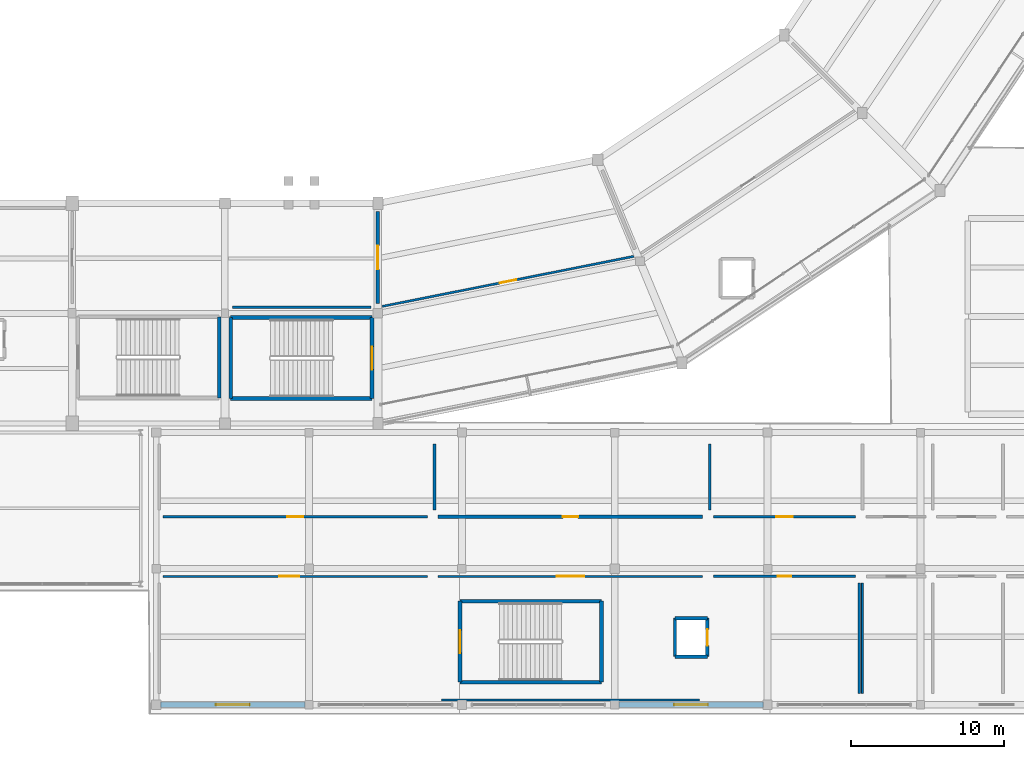
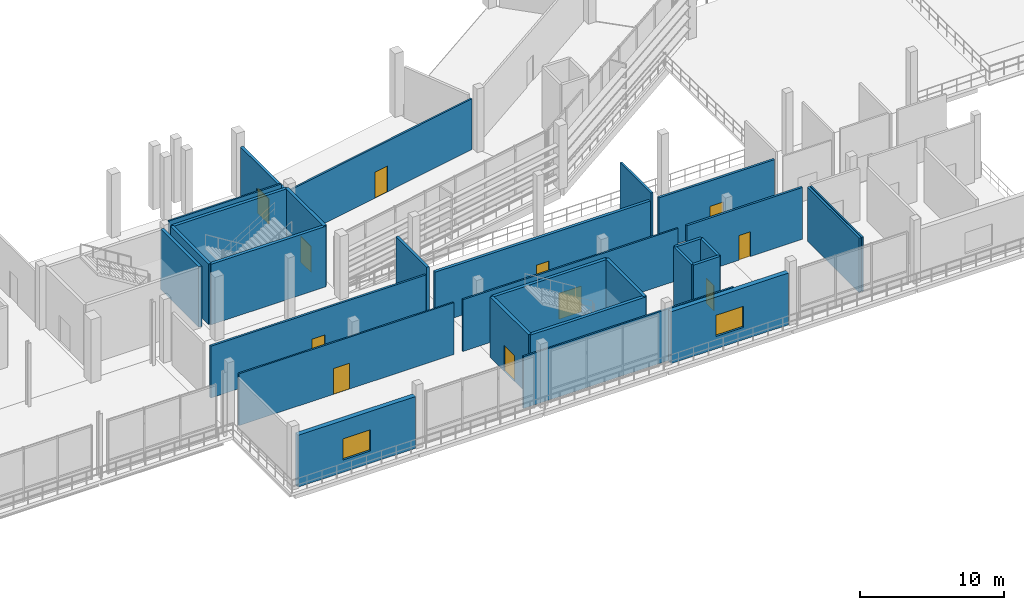
# One storey, part 75 of 111: 29 walls, 11 doors, 2 windows, 13 openings.
"""IFC4 building model written with IfcOpenShell, lengths in metres."""

from ifc_helpers import new_model, si_unit, direction, frame, frame_2d, origin, place, context, subcontext, project, spatial, rectangle, extrude, material, layer, layer_set, type_object, element, fill, save


model = new_model("IFC4")

# Units and contexts
model_context = context("Model", 3, precision=1e-05, world=origin(), true_north=direction((0.0, 1.0)))
body_context = subcontext(model_context, "Body", "Model", "MODEL_VIEW")
ifc_project = project(units=[si_unit("LENGTHUNIT", "METRE"), si_unit("AREAUNIT", "SQUARE_METRE"), si_unit("VOLUMEUNIT", "CUBIC_METRE"), si_unit("PLANEANGLEUNIT", "RADIAN"), si_unit("MASSUNIT", "GRAM", prefix="KILO")], contexts=[model_context])

# Site, building, storey
site_placement = place(None, origin())
site = spatial("IfcSite", under=ifc_project, at=site_placement, CompositionType="ELEMENT")
building_placement = place(site_placement, origin())
building = spatial("IfcBuilding", under=site, at=building_placement, Name="Candeia Ridge Stadium", CompositionType="ELEMENT")
storey_placement = place(building_placement, frame((0.0, 0.0, 16.199951171875)))
storey = spatial("IfcBuildingStorey", under=building, at=storey_placement, Name="L03", CompositionType="ELEMENT", Elevation=16.199951171875)

# Wall, opening, door
ifc_material_1 = material(Name="Gypsum Metal-Stud Partition", Category="gypsum")
ifc_layer_1 = layer(ifc_material_1, 0.14501953125, Name="Gypsum Metal-Stud Partition", Category="gypsum")
ifc_layer_set_1 = layer_set([ifc_layer_1], Name="Gypsum Metal-Stud Partition")
wall_type_1 = type_object("IfcWallType", Name="Athlete Recovery Partition 145", PredefinedType="PARTITIONING", material=ifc_layer_set_1)
wall_1_placement = place(storey_placement, frame((157.745849609375, 29.930908203125, 0.0), z_axis=(0.0, 0.0, 1.0), x_axis=(-0.980786027867, -0.195086564225, 0.0)))
wall_1 = element("IfcWall", 1, at=wall_1_placement, inside=storey, type_object=wall_type_1, Name="Interior partition PT-L03-0603", PredefinedType="PARTITIONING", context=body_context, shape_type="SweptSolid", body=[
    extrude(rectangle(XDim=16.783203125, YDim=0.14501953125, at=frame_2d((8.3916015625, 0.0))), origin(), (0.0, 0.0, 1.0), 4.304931640625),
])
opening_1_placement = place(wall_1_placement, frame((7.83154296875, 0.0, 0.0)))
opening_1 = element("IfcOpeningElement", 2, at=opening_1_placement, cuts=wall_1, Name="Opening ID18", PredefinedType="OPENING", context=body_context, shape_type="SweptSolid", body=[
    extrude(rectangle(XDim=1.1201171875, YDim=2.199951171875, at=frame_2d((0.56005859375, 1.10009765625))), frame((0.0, 0.08251953125, 0.0), z_axis=(0.0, -1.0, 0.0), x_axis=(1.0, 0.0, 0.0)), (0.0, 0.0, 1.0), 0.1650390625),
])
ifc_material_2 = material(Name="Galvanized Fire-Rated Steel", Category="steel")
door_type_1 = type_object("IfcDoorType", Name="Control Room Security Door 1120x2200", OperationType="NOTDEFINED", PredefinedType="DOOR", material=ifc_material_2)
door_1_placement = place(opening_1_placement, frame((1.1201171875, 0.0, 0.0), z_axis=(0.0, 0.0, 1.0), x_axis=(-1.0, 0.0, 0.0)))
door_1 = element("IfcDoor", 3, at=door_1_placement, inside=storey, type_object=door_type_1, Name="Interior room door D-L03-0310", OperationType="SINGLE_SWING_RIGHT", OverallHeight=2.199951171875, OverallWidth=1.1201171875, PredefinedType="DOOR", context=body_context, shape_type="SweptSolid", body=[
    extrude(rectangle(XDim=1.1201171875, YDim=2.199951171875, at=frame_2d((0.56005859375, 1.10009765625))), frame((0.0, 0.02490234375, 0.0), z_axis=(0.0, -1.0, 0.0), x_axis=(1.0, 0.0, 0.0)), (0.0, 0.0, 1.0), 0.050048828125),
])
fill(opening_1, door_1)

# Walls
ifc_material_3 = material(Name="Concrete C40/50", Category="concrete")
ifc_layer_2 = layer(ifc_material_3, 0.25, Name="Concrete C40/50", Category="concrete")
ifc_layer_set_2 = layer_set([ifc_layer_2], Name="Concrete C40/50")
wall_type_2 = type_object("IfcWallType", Name="Core Shear Wall Concrete 250", PredefinedType="SHEAR", material=ifc_layer_set_2)
wall_2_placement = place(storey_placement, frame((140.62451171875, 25.924560546875, 0.0), z_axis=(0.0, 0.0, 1.0), x_axis=(-1.0, 0.0, 0.0)))
element("IfcWall", 4, at=wall_2_placement, inside=storey, type_object=wall_type_2, Name="Core C03 left shear wall L03", PredefinedType="SHEAR", context=body_context, shape_type="SweptSolid", body=[
    extrude(rectangle(XDim=9.2490234375, YDim=0.25, at=frame_2d((4.62451171875, 0.0))), origin(), (0.0, 0.0, 1.0), 5.14013671875),
])
wall_3_placement = place(storey_placement, frame((131.37548828125, 25.924560546875, 0.0), z_axis=(0.0, 0.0, 1.0), x_axis=(0.0, -1.0, 0.0)))
element("IfcWall", 5, at=wall_3_placement, inside=storey, type_object=wall_type_2, Name="Core C03 far shear wall L03", PredefinedType="SHEAR", context=body_context, shape_type="SweptSolid", body=[
    extrude(rectangle(XDim=5.299072265625, YDim=0.25, at=frame_2d((2.6494140625, 0.0))), origin(), (0.0, 0.0, 1.0), 5.14013671875),
])
wall_4_placement = place(storey_placement, frame((131.37548828125, 20.62548828125, 0.0), z_axis=(0.0, 0.0, 1.0), x_axis=(1.0, 0.0, 0.0)))
element("IfcWall", 6, at=wall_4_placement, inside=storey, type_object=wall_type_2, Name="Core C03 right shear wall L03", PredefinedType="SHEAR", context=body_context, shape_type="SweptSolid", body=[
    extrude(rectangle(XDim=9.2490234375, YDim=0.25, at=frame_2d((4.62451171875, 0.0))), origin(), (0.0, 0.0, 1.0), 5.14013671875),
])

# Wall, opening, door
wall_5_placement = place(storey_placement, frame((140.62451171875, 20.62548828125, 0.0), z_axis=(0.0, 0.0, 1.0), x_axis=(0.0, 1.0, 0.0)))
wall_5 = element("IfcWall", 7, at=wall_5_placement, inside=storey, type_object=wall_type_2, Name="Core C03 near shear wall L03", PredefinedType="SHEAR", context=body_context, shape_type="SweptSolid", body=[
    extrude(rectangle(XDim=5.299072265625, YDim=0.25, at=frame_2d((2.6494140625, 0.0))), origin(), (0.0, 0.0, 1.0), 5.14013671875),
])
opening_2_placement = place(wall_5_placement, frame((1.899658203125, 0.0, 0.0)))
opening_2 = element("IfcOpeningElement", 8, at=opening_2_placement, cuts=wall_5, Name="Opening FD01", PredefinedType="OPENING", context=body_context, shape_type="SweptSolid", body=[
    extrude(rectangle(XDim=1.5, YDim=2.199951171875, at=frame_2d((0.75, 1.10009765625))), frame((0.0, 0.135009765625, 0.0), z_axis=(0.0, -1.0, 0.0), x_axis=(1.0, 0.0, 0.0)), (0.0, 0.0, 1.0), 0.27001953125),
])
door_type_2 = type_object("IfcDoorType", Name="Exit Stair Core Fire Door 1500x2200", OperationType="NOTDEFINED", PredefinedType="DOOR", material=ifc_material_2)
door_2_placement = place(opening_2_placement, origin())
door_2 = element("IfcDoor", 9, at=door_2_placement, inside=storey, type_object=door_type_2, Name="Exit stair fire door SD-ST03-L03", OperationType="DOUBLE_DOOR_SINGLE_SWING", OverallHeight=2.199951171875, OverallWidth=1.5, PredefinedType="DOOR", context=body_context, shape_type="SweptSolid", body=[
    extrude(rectangle(XDim=1.5, YDim=2.199951171875, at=frame_2d((0.75, 1.10009765625))), frame((0.0, 0.02490234375, 0.0), z_axis=(0.0, -1.0, 0.0), x_axis=(1.0, 0.0, 0.0)), (0.0, 0.0, 1.0), 0.050048828125),
])
fill(opening_2, door_2)

# Walls
wall_6_placement = place(storey_placement, frame((130.62451171875, 20.67529296875, 0.0), z_axis=(0.0, 0.0, 1.0), x_axis=(0.0, 1.0, 0.0)))
element("IfcWall", 10, at=wall_6_placement, inside=storey, type_object=wall_type_2, Name="Core C12 far shear wall L03", PredefinedType="SHEAR", context=body_context, shape_type="SweptSolid", body=[
    extrude(rectangle(XDim=5.29931640625, YDim=0.25, at=frame_2d((2.649658203125, 0.0))), origin(), (0.0, 0.0, 1.0), 5.14013671875),
])
wall_7_placement = place(storey_placement, frame((146.37548828125, 2.075439453125, 0.0), z_axis=(0.0, 0.0, 1.0), x_axis=(1.0, 0.0, 0.0)))
element("IfcWall", 11, at=wall_7_placement, inside=storey, type_object=wall_type_2, Name="Core C14 left shear wall L03", PredefinedType="SHEAR", context=body_context, shape_type="SweptSolid", body=[
    extrude(rectangle(XDim=9.2490234375, YDim=0.25, at=frame_2d((4.62451171875, 0.0))), origin(), (0.0, 0.0, 1.0), 5.14013671875),
])
wall_8_placement = place(storey_placement, frame((155.62451171875, 2.075439453125, 0.0), z_axis=(0.0, 0.0, 1.0), x_axis=(0.0, 1.0, 0.0)))
element("IfcWall", 12, at=wall_8_placement, inside=storey, type_object=wall_type_2, Name="Core C14 far shear wall L03", PredefinedType="SHEAR", context=body_context, shape_type="SweptSolid", body=[
    extrude(rectangle(XDim=5.299072265625, YDim=0.25, at=frame_2d((2.6494140625, 0.0))), origin(), (0.0, 0.0, 1.0), 5.14013671875),
])
wall_9_placement = place(storey_placement, frame((155.62451171875, 7.37451171875, 0.0), z_axis=(0.0, 0.0, 1.0), x_axis=(-1.0, 0.0, 0.0)))
element("IfcWall", 13, at=wall_9_placement, inside=storey, type_object=wall_type_2, Name="Core C14 right shear wall L03", PredefinedType="SHEAR", context=body_context, shape_type="SweptSolid", body=[
    extrude(rectangle(XDim=9.2490234375, YDim=0.25, at=frame_2d((4.62451171875, 0.0))), origin(), (0.0, 0.0, 1.0), 5.14013671875),
])

# Wall, opening, door
wall_10_placement = place(storey_placement, frame((146.37548828125, 7.37451171875, 0.0), z_axis=(0.0, 0.0, 1.0), x_axis=(0.0, -1.0, 0.0)))
wall_10 = element("IfcWall", 14, at=wall_10_placement, inside=storey, type_object=wall_type_2, Name="Core C14 near shear wall L03", PredefinedType="SHEAR", context=body_context, shape_type="SweptSolid", body=[
    extrude(rectangle(XDim=5.299072265625, YDim=0.25, at=frame_2d((2.6494140625, 0.0))), origin(), (0.0, 0.0, 1.0), 5.14013671875),
])
opening_3_placement = place(wall_10_placement, frame((1.899658203125, 0.0, 0.0)))
opening_3 = element("IfcOpeningElement", 15, at=opening_3_placement, cuts=wall_10, Name="Opening FD01", PredefinedType="OPENING", context=body_context, shape_type="SweptSolid", body=[
    extrude(rectangle(XDim=1.5, YDim=2.199951171875, at=frame_2d((0.75, 1.10009765625))), frame((0.0, 0.135009765625, 0.0), z_axis=(0.0, -1.0, 0.0), x_axis=(1.0, 0.0, 0.0)), (0.0, 0.0, 1.0), 0.27001953125),
])
door_3_placement = place(opening_3_placement, origin())
door_3 = element("IfcDoor", 16, at=door_3_placement, inside=storey, type_object=door_type_2, Name="Exit stair fire door SD-ST14-L03", OperationType="DOUBLE_DOOR_SINGLE_SWING", OverallHeight=2.199951171875, OverallWidth=1.5, PredefinedType="DOOR", context=body_context, shape_type="SweptSolid", body=[
    extrude(rectangle(XDim=1.5, YDim=2.199951171875, at=frame_2d((0.75, 1.10009765625))), frame((0.0, 0.02490234375, 0.0), z_axis=(0.0, -1.0, 0.0), x_axis=(1.0, 0.0, 0.0)), (0.0, 0.0, 1.0), 0.050048828125),
])
fill(opening_3, door_3)

ifc_material_4 = material(Name="Moisture-Resistant Masonry & Tile", Category="masonry")
ifc_layer_3 = layer(ifc_material_4, 0.22998046875, Name="Moisture-Resistant Masonry & Tile", Category="masonry")
ifc_layer_set_3 = layer_set([ifc_layer_3], Name="Moisture-Resistant Masonry & Tile")
wall_type_3 = type_object("IfcWallType", Name="Dressing Suite Wet-Wall Chase 230", PredefinedType="PLUMBINGWALL", material=ifc_layer_set_3)
wall_11_placement = place(storey_placement, frame((162.25, 12.89990234375, 0.0), z_axis=(0.0, 0.0, 1.0), x_axis=(-1.0, 0.0, 0.0)))
wall_11 = element("IfcWall", 17, at=wall_11_placement, inside=storey, type_object=wall_type_3, Name="Interior partition PT-L03-0547", PredefinedType="PLUMBINGWALL", context=body_context, shape_type="SweptSolid", body=[
    extrude(rectangle(XDim=17.300048828125, YDim=0.22998046875, at=frame_2d((8.64990234375, 0.0))), origin(), (0.0, 0.0, 1.0), 4.405029296875),
])
opening_4_placement = place(wall_11_placement, frame((8.14990234375, 0.0, 0.0)))
opening_4 = element("IfcOpeningElement", 18, at=opening_4_placement, cuts=wall_11, Name="Opening ID04", PredefinedType="OPENING", context=body_context, shape_type="SweptSolid", body=[
    extrude(rectangle(XDim=1.0, YDim=2.14990234375, at=frame_2d((0.5, 1.074951171875))), frame((0.0, 0.125, 0.0), z_axis=(0.0, -1.0, 0.0), x_axis=(1.0, 0.0, 0.0)), (0.0, 0.0, 1.0), 0.25),
])
ifc_material_5 = material(Name="Powder-Coated Hollow Metal", Category="steel")
door_type_3 = type_object("IfcDoorType", Name="Concourse Kiosk Service Door 1000x2150", OperationType="NOTDEFINED", PredefinedType="DOOR", material=ifc_material_5)
door_4_placement = place(opening_4_placement, origin())
door_4 = element("IfcDoor", 19, at=door_4_placement, inside=storey, type_object=door_type_3, Name="Interior room door D-L03-0282", OperationType="SINGLE_SWING_LEFT", OverallHeight=2.14990234375, OverallWidth=1.0, PredefinedType="DOOR", context=body_context, shape_type="SweptSolid", body=[
    extrude(rectangle(XDim=1.0, YDim=2.14990234375, at=frame_2d((0.5, 1.074951171875))), frame((0.0, 0.02490234375, 0.0), z_axis=(0.0, -1.0, 0.0), x_axis=(1.0, 0.0, 0.0)), (0.0, 0.0, 1.0), 0.050048828125),
])
fill(opening_4, door_4)

wall_12_placement = place(storey_placement, frame((141.0, 32.85009765625, 0.0), z_axis=(0.0, 0.0, 1.0), x_axis=(0.0, -1.0, 0.0)))
wall_12 = element("IfcWall", 20, at=wall_12_placement, inside=storey, type_object=wall_type_3, Name="Interior partition PT-L03-0601", PredefinedType="PLUMBINGWALL", context=body_context, shape_type="SweptSolid", body=[
    extrude(rectangle(XDim=6.0, YDim=0.22998046875, at=frame_2d((3.0, 0.0))), origin(), (0.0, 0.0, 1.0), 4.304931640625),
])
opening_5_placement = place(wall_12_placement, frame((2.22509765625, 0.0, 0.0)))
opening_5 = element("IfcOpeningElement", 21, at=opening_5_placement, cuts=wall_12, Name="Opening ID14", PredefinedType="OPENING", context=body_context, shape_type="SweptSolid", body=[
    extrude(rectangle(XDim=1.550048828125, YDim=2.14990234375, at=frame_2d((0.77490234375, 1.074951171875))), frame((0.0, 0.125, 0.0), z_axis=(0.0, -1.0, 0.0), x_axis=(1.0, 0.0, 0.0)), (0.0, 0.0, 1.0), 0.25),
])
ifc_material_6 = material(Name="Brushed Stainless Steel", Category="steel")
door_type_4 = type_object("IfcDoorType", Name="Catering Kitchen Double Door 1550x2150", OperationType="NOTDEFINED", PredefinedType="DOOR", material=ifc_material_6)
door_5_placement = place(opening_5_placement, origin())
door_5 = element("IfcDoor", 22, at=door_5_placement, inside=storey, type_object=door_type_4, Name="Interior room door D-L03-0309", OperationType="DOUBLE_DOOR_SINGLE_SWING", OverallHeight=2.14990234375, OverallWidth=1.550048828125, PredefinedType="DOOR", context=body_context, shape_type="SweptSolid", body=[
    extrude(rectangle(XDim=1.550048828125, YDim=2.14990234375, at=frame_2d((0.77490234375, 1.074951171875))), frame((0.0, 0.02490234375, 0.0), z_axis=(0.0, -1.0, 0.0), x_axis=(1.0, 0.0, 0.0)), (0.0, 0.0, 1.0), 0.050048828125),
])
fill(opening_5, door_5)

# Wall, opening, window
ifc_layer_4 = layer(ifc_material_3, 0.3798828125, Name="Concrete C40/50", Category="concrete")
ifc_layer_set_4 = layer_set([ifc_layer_4], Name="Concrete C40/50")
wall_type_4 = type_object("IfcWallType", Name="Exterior Museum Gallery Wall 380", PredefinedType="SOLIDWALL", material=ifc_layer_set_4)
wall_13_placement = place(storey_placement, frame((126.7880859375, 0.60009765625, 0.0), z_axis=(0.0, 0.0, 1.0), x_axis=(1.0, 0.0, 0.0)))
wall_13 = element("IfcWall", 23, at=wall_13_placement, inside=storey, type_object=wall_type_4, Name="Exterior facade wall EW-L03-0185", PredefinedType="SOLIDWALL", context=body_context, shape_type="SweptSolid", body=[
    extrude(rectangle(XDim=9.448974609375, YDim=0.3798828125, at=frame_2d((4.724609375, 0.0))), origin(), (0.0, 0.0, 1.0), 4.405029296875),
])
opening_6_placement = place(wall_13_placement, frame((3.62451171875, 0.0, 1.050048828125)))
opening_6 = element("IfcOpeningElement", 24, at=opening_6_placement, cuts=wall_13, Name="Opening W07", PredefinedType="OPENING", context=body_context, shape_type="SweptSolid", body=[
    extrude(rectangle(XDim=2.199951171875, YDim=1.800048828125, at=frame_2d((1.10009765625, 0.89990234375))), frame((0.0, 0.199951171875, 0.0), z_axis=(0.0, -1.0, 0.0), x_axis=(1.0, 0.0, 0.0)), (0.0, 0.0, 1.0), 0.39990234375),
])
ifc_material_7 = material(Name="Tempered Solar-Control Double Glazing", Category="glass")
window_type = type_object("IfcWindowType", Name="Museum Gallery Window 2200x1800", PartitioningType="SINGLE_PANEL", PredefinedType="WINDOW", material=ifc_material_7)
window_1_placement = place(opening_6_placement, origin())
window_1 = element("IfcWindow", 25, at=window_1_placement, inside=storey, type_object=window_type, Name="Exterior window WIN-L03-106", OverallHeight=1.800048828125, OverallWidth=2.199951171875, PartitioningType="SINGLE_PANEL", PredefinedType="WINDOW", context=body_context, shape_type="SweptSolid", body=[
    extrude(rectangle(XDim=2.199951171875, YDim=1.800048828125, at=frame_2d((1.10009765625, 0.89990234375))), frame((0.0, 0.030029296875, 0.0), z_axis=(0.0, -1.0, 0.0), x_axis=(1.0, 0.0, 0.0)), (0.0, 0.0, 1.0), 0.06005859375),
])
fill(opening_6, window_1)

wall_14_placement = place(storey_placement, frame((156.762939453125, 0.60009765625, 0.0), z_axis=(0.0, 0.0, 1.0), x_axis=(1.0, 0.0, 0.0)))
wall_14 = element("IfcWall", 26, at=wall_14_placement, inside=storey, type_object=wall_type_4, Name="Exterior facade wall EW-L03-0186", PredefinedType="SOLIDWALL", context=body_context, shape_type="SweptSolid", body=[
    extrude(rectangle(XDim=9.448974609375, YDim=0.3798828125, at=frame_2d((4.724609375, 0.0))), origin(), (0.0, 0.0, 1.0), 4.405029296875),
])
opening_7_placement = place(wall_14_placement, frame((3.62451171875, 0.0, 1.050048828125)))
opening_7 = element("IfcOpeningElement", 27, at=opening_7_placement, cuts=wall_14, Name="Opening W07", PredefinedType="OPENING", context=body_context, shape_type="SweptSolid", body=[
    extrude(rectangle(XDim=2.199951171875, YDim=1.800048828125, at=frame_2d((1.10009765625, 0.89990234375))), frame((0.0, 0.199951171875, 0.0), z_axis=(0.0, -1.0, 0.0), x_axis=(1.0, 0.0, 0.0)), (0.0, 0.0, 1.0), 0.39990234375),
])
window_2_placement = place(opening_7_placement, origin())
window_2 = element("IfcWindow", 28, at=window_2_placement, inside=storey, type_object=window_type, Name="Exterior window WIN-L03-107", OverallHeight=1.800048828125, OverallWidth=2.199951171875, PartitioningType="SINGLE_PANEL", PredefinedType="WINDOW", context=body_context, shape_type="SweptSolid", body=[
    extrude(rectangle(XDim=2.199951171875, YDim=1.800048828125, at=frame_2d((1.10009765625, 0.89990234375))), frame((0.0, 0.030029296875, 0.0), z_axis=(0.0, -1.0, 0.0), x_axis=(1.0, 0.0, 0.0)), (0.0, 0.0, 1.0), 0.06005859375),
])
fill(opening_7, window_2)

# Wall, opening, door
ifc_layer_5 = layer(ifc_material_1, 0.135009765625, Name="Gypsum Metal-Stud Partition", Category="gypsum")
ifc_layer_set_5 = layer_set([ifc_layer_5], Name="Gypsum Metal-Stud Partition")
wall_type_5 = type_object("IfcWallType", Name="General Room Partition 135", PredefinedType="PARTITIONING", material=ifc_layer_set_5)
wall_15_placement = place(storey_placement, frame((144.949951171875, 9.0, 0.0), z_axis=(0.0, 0.0, 1.0), x_axis=(1.0, 0.0, 0.0)))
wall_15 = element("IfcWall", 29, at=wall_15_placement, inside=storey, type_object=wall_type_5, Name="Interior partition PT-L03-0545", PredefinedType="PARTITIONING", context=body_context, shape_type="SweptSolid", body=[
    extrude(rectangle(XDim=17.300048828125, YDim=0.135009765625, at=frame_2d((8.64990234375, 0.0))), origin(), (0.0, 0.0, 1.0), 4.405029296875),
])
opening_8_placement = place(wall_15_placement, frame((7.75, 0.0, 0.0)))
opening_8 = element("IfcOpeningElement", 30, at=opening_8_placement, cuts=wall_15, Name="Opening FD03", PredefinedType="OPENING", context=body_context, shape_type="SweptSolid", body=[
    extrude(rectangle(XDim=1.800048828125, YDim=2.199951171875, at=frame_2d((0.89990234375, 1.10009765625))), frame((0.0, 0.077392578125, 0.0), z_axis=(0.0, -1.0, 0.0), x_axis=(1.0, 0.0, 0.0)), (0.0, 0.0, 1.0), 0.155029296875),
])
ifc_material_8 = material(Name="Timber Fire-Rated Acoustic", Category="wood")
door_type_5 = type_object("IfcDoorType", Name="Corridor Compartment Double Door 1800x2200", OperationType="NOTDEFINED", PredefinedType="DOOR", material=ifc_material_8)
door_6_placement = place(opening_8_placement, origin())
door_6 = element("IfcDoor", 31, at=door_6_placement, inside=storey, type_object=door_type_5, Name="Interior room door D-L03-0281", OperationType="DOUBLE_DOOR_SINGLE_SWING", OverallHeight=2.199951171875, OverallWidth=1.800048828125, PredefinedType="DOOR", context=body_context, shape_type="SweptSolid", body=[
    extrude(rectangle(XDim=1.800048828125, YDim=2.199951171875, at=frame_2d((0.89990234375, 1.10009765625))), frame((0.0, 0.02490234375, 0.0), z_axis=(0.0, -1.0, 0.0), x_axis=(1.0, 0.0, 0.0)), (0.0, 0.0, 1.0), 0.050048828125),
])
fill(opening_8, door_6)

# Walls
wall_16_placement = place(storey_placement, frame((162.050048828125, 0.89990234375, 0.0), z_axis=(0.0, 0.0, 1.0), x_axis=(-1.0, 0.0, 0.0)))
element("IfcWall", 32, at=wall_16_placement, inside=storey, type_object=wall_type_5, Name="Demising partition PT-L03-0546", PredefinedType="PARTITIONING", context=body_context, shape_type="SweptSolid", body=[
    extrude(rectangle(XDim=16.900146484375, YDim=0.135009765625, at=frame_2d((8.4501953125, 0.0))), origin(), (0.0, 0.0, 1.0), 4.405029296875),
])
wall_17_placement = place(storey_placement, frame((140.550048828125, 26.60009765625, 0.0), z_axis=(0.0, 0.0, 1.0), x_axis=(-1.0, 0.0, 0.0)))
element("IfcWall", 33, at=wall_17_placement, inside=storey, type_object=wall_type_5, Name="Demising partition PT-L03-0602", PredefinedType="PARTITIONING", context=body_context, shape_type="SweptSolid", body=[
    extrude(rectangle(XDim=9.06005859375, YDim=0.135009765625, at=frame_2d((4.530029296875, 0.0))), origin(), (0.0, 0.0, 1.0), 5.1201171875),
])

# Wall, opening, door
ifc_material_9 = material(Name="Gypsum Acoustic Twin-Stud Assembly", Category="gypsum")
ifc_layer_6 = layer(ifc_material_9, 0.1650390625, Name="Gypsum Acoustic Twin-Stud Assembly", Category="gypsum")
ifc_layer_set_6 = layer_set([ifc_layer_6], Name="Gypsum Acoustic Twin-Stud Assembly")
wall_type_6 = type_object("IfcWallType", Name="Hospitality Suite Acoustic Wall 165", PredefinedType="PARTITIONING", material=ifc_layer_set_6)
wall_18_placement = place(storey_placement, frame((144.25, 12.89990234375, 0.0), z_axis=(0.0, 0.0, 1.0), x_axis=(-1.0, 0.0, 0.0)))
wall_18 = element("IfcWall", 34, at=wall_18_placement, inside=storey, type_object=wall_type_6, Name="Interior partition PT-L03-0543", PredefinedType="PARTITIONING", context=body_context, shape_type="SweptSolid", body=[
    extrude(rectangle(XDim=17.300048828125, YDim=0.1650390625, at=frame_2d((8.64990234375, 0.0))), origin(), (0.0, 0.0, 1.0), 4.405029296875),
])
opening_9_placement = place(wall_18_placement, frame((8.139892578125, 0.0, 0.0)))
opening_9 = element("IfcOpeningElement", 35, at=opening_9_placement, cuts=wall_18, Name="Opening ID16", PredefinedType="OPENING", context=body_context, shape_type="SweptSolid", body=[
    extrude(rectangle(XDim=1.02001953125, YDim=2.14990234375, at=frame_2d((0.510009765625, 1.074951171875))), frame((0.0, 0.092529296875, 0.0), z_axis=(0.0, -1.0, 0.0), x_axis=(1.0, 0.0, 0.0)), (0.0, 0.0, 1.0), 0.18505859375),
])
ifc_material_10 = material(Name="Solid Core Cedar Veneer", Category="wood")
door_type_6 = type_object("IfcDoorType", Name="Community Classroom Door 1020x2150", OperationType="NOTDEFINED", PredefinedType="DOOR", material=ifc_material_10)
door_7_placement = place(opening_9_placement, frame((1.02001953125, 0.0, 0.0), z_axis=(0.0, 0.0, 1.0), x_axis=(-1.0, 0.0, 0.0)))
door_7 = element("IfcDoor", 36, at=door_7_placement, inside=storey, type_object=door_type_6, Name="Interior room door D-L03-0280", OperationType="SINGLE_SWING_RIGHT", OverallHeight=2.14990234375, OverallWidth=1.02001953125, PredefinedType="DOOR", context=body_context, shape_type="SweptSolid", body=[
    extrude(rectangle(XDim=1.02001953125, YDim=2.14990234375, at=frame_2d((0.510009765625, 1.074951171875))), frame((0.0, 0.02490234375, 0.0), z_axis=(0.0, -1.0, 0.0), x_axis=(1.0, 0.0, 0.0)), (0.0, 0.0, 1.0), 0.050048828125),
])
fill(opening_9, door_7)

# Wall
ifc_layer_7 = layer(ifc_material_3, 0.219970703125, Name="Concrete C40/50", Category="concrete")
ifc_layer_set_7 = layer_set([ifc_layer_7], Name="Concrete C40/50")
wall_type_7 = type_object("IfcWallType", Name="Lift & Riser Shaft Wall 220", PredefinedType="SHEAR", material=ifc_layer_set_7)
wall_19_placement = place(storey_placement, frame((160.43994140625, 3.739990234375, 0.0), z_axis=(0.0, 0.0, 1.0), x_axis=(1.0, 0.0, 0.0)))
element("IfcWall", 37, at=wall_19_placement, inside=storey, type_object=wall_type_7, Name="Lift PL6 shaft wall L03 south", PredefinedType="SHEAR", context=body_context, shape_type="SweptSolid", body=[
    extrude(rectangle(XDim=2.1201171875, YDim=0.219970703125, at=frame_2d((1.06005859375, 0.0))), origin(), (0.0, 0.0, 1.0), 5.14013671875),
])

# Wall, opening, door
wall_20_placement = place(storey_placement, frame((162.56005859375, 3.739990234375, 0.0), z_axis=(0.0, 0.0, 1.0), x_axis=(0.0, 1.0, 0.0)))
wall_20 = element("IfcWall", 38, at=wall_20_placement, inside=storey, type_object=wall_type_7, Name="Lift PL6 shaft wall L03 east", PredefinedType="SHEAR", context=body_context, shape_type="SweptSolid", body=[
    extrude(rectangle(XDim=2.52001953125, YDim=0.219970703125, at=frame_2d((1.260009765625, 0.0))), origin(), (0.0, 0.0, 1.0), 5.14013671875),
])
opening_10_placement = place(wall_20_placement, frame((0.735107421875, 0.0, 0.0)))
opening_10 = element("IfcOpeningElement", 39, at=opening_10_placement, cuts=wall_20, Name="Opening LD02", PredefinedType="OPENING", context=body_context, shape_type="SweptSolid", body=[
    extrude(rectangle(XDim=1.050048828125, YDim=2.14990234375, at=frame_2d((0.52490234375, 1.074951171875))), frame((0.0, 0.119873046875, 0.0), z_axis=(0.0, -1.0, 0.0), x_axis=(1.0, 0.0, 0.0)), (0.0, 0.0, 1.0), 0.239990234375),
])
door_type_7 = type_object("IfcDoorType", Name="Passenger Lift Landing Door 1050x2150", OperationType="NOTDEFINED", PredefinedType="DOOR", material=ifc_material_6)
door_8_placement = place(opening_10_placement, origin())
door_8 = element("IfcDoor", 40, at=door_8_placement, inside=storey, type_object=door_type_7, Name="Lift landing sliding door LD-PL6-L03", OperationType="DOUBLE_DOOR_SLIDING", OverallHeight=2.14990234375, OverallWidth=1.050048828125, PredefinedType="DOOR", context=body_context, shape_type="SweptSolid", body=[
    extrude(rectangle(XDim=1.050048828125, YDim=2.14990234375, at=frame_2d((0.52490234375, 1.074951171875))), frame((0.0, 0.02490234375, 0.0), z_axis=(0.0, -1.0, 0.0), x_axis=(1.0, 0.0, 0.0)), (0.0, 0.0, 1.0), 0.050048828125),
])
fill(opening_10, door_8)

# Walls
wall_21_placement = place(storey_placement, frame((162.56005859375, 6.260009765625, 0.0), z_axis=(0.0, 0.0, 1.0), x_axis=(-1.0, 0.0, 0.0)))
element("IfcWall", 41, at=wall_21_placement, inside=storey, type_object=wall_type_7, Name="Lift PL6 shaft wall L03 north", PredefinedType="SHEAR", context=body_context, shape_type="SweptSolid", body=[
    extrude(rectangle(XDim=2.1201171875, YDim=0.219970703125, at=frame_2d((1.06005859375, 0.0))), origin(), (0.0, 0.0, 1.0), 5.14013671875),
])
wall_22_placement = place(storey_placement, frame((160.43994140625, 6.260009765625, 0.0), z_axis=(0.0, 0.0, 1.0), x_axis=(0.0, -1.0, 0.0)))
element("IfcWall", 42, at=wall_22_placement, inside=storey, type_object=wall_type_7, Name="Lift PL6 shaft wall L03 west", PredefinedType="SHEAR", context=body_context, shape_type="SweptSolid", body=[
    extrude(rectangle(XDim=2.52001953125, YDim=0.219970703125, at=frame_2d((1.260009765625, 0.0))), origin(), (0.0, 0.0, 1.0), 5.14013671875),
])

# Wall, opening, door
ifc_material_11 = material(Name="Gypsum Acoustic Triple-Board Wall", Category="gypsum")
ifc_layer_8 = layer(ifc_material_11, 0.18505859375, Name="Gypsum Acoustic Triple-Board Wall", Category="gypsum")
ifc_layer_set_8 = layer_set([ifc_layer_8], Name="Gypsum Acoustic Triple-Board Wall")
wall_type_8 = type_object("IfcWallType", Name="Media Booth Studio Divider 185", PredefinedType="PARTITIONING", material=ifc_layer_set_8)
wall_23_placement = place(storey_placement, frame((172.25, 12.89990234375, 0.0), z_axis=(0.0, 0.0, 1.0), x_axis=(-1.0, 0.0, 0.0)))
wall_23 = element("IfcWall", 43, at=wall_23_placement, inside=storey, type_object=wall_type_8, Name="Interior partition PT-L03-0551", PredefinedType="PARTITIONING", context=body_context, shape_type="SweptSolid", body=[
    extrude(rectangle(XDim=9.300048828125, YDim=0.18505859375, at=frame_2d((4.64990234375, 0.0))), origin(), (0.0, 0.0, 1.0), 4.405029296875),
])
opening_11_placement = place(wall_23_placement, frame((4.110107421875, 0.0, 0.0)))
opening_11 = element("IfcOpeningElement", 44, at=opening_11_placement, cuts=wall_23, Name="Opening ID08", PredefinedType="OPENING", context=body_context, shape_type="SweptSolid", body=[
    extrude(rectangle(XDim=1.080078125, YDim=2.25, at=frame_2d((0.5400390625, 1.125))), frame((0.0, 0.1025390625, 0.0), z_axis=(0.0, -1.0, 0.0), x_axis=(1.0, 0.0, 0.0)), (0.0, 0.0, 1.0), 0.205078125),
])
ifc_material_12 = material(Name="Western Red Cedar Acoustic Veneer", Category="wood")
door_type_8 = type_object("IfcDoorType", Name="Executive Skybox Entry Door 1080x2250", OperationType="NOTDEFINED", PredefinedType="DOOR", material=ifc_material_12)
door_9_placement = place(opening_11_placement, frame((1.080078125, 0.0, 0.0), z_axis=(0.0, 0.0, 1.0), x_axis=(-1.0, 0.0, 0.0)))
door_9 = element("IfcDoor", 45, at=door_9_placement, inside=storey, type_object=door_type_8, Name="Interior room door D-L03-0284", OperationType="SINGLE_SWING_LEFT", OverallHeight=2.25, OverallWidth=1.080078125, PredefinedType="DOOR", context=body_context, shape_type="SweptSolid", body=[
    extrude(rectangle(XDim=1.080078125, YDim=2.25, at=frame_2d((0.5400390625, 1.125))), frame((0.0, 0.02490234375, 0.0), z_axis=(0.0, -1.0, 0.0), x_axis=(1.0, 0.0, 0.0)), (0.0, 0.0, 1.0), 0.050048828125),
])
fill(opening_11, door_9)

# Walls
ifc_layer_9 = layer(ifc_material_9, 0.175048828125, Name="Gypsum Acoustic Twin-Stud Assembly", Category="gypsum")
ifc_layer_set_9 = layer_set([ifc_layer_9], Name="Gypsum Acoustic Twin-Stud Assembly")
wall_type_9 = type_object("IfcWallType", Name="Museum Acoustic Gallery Wall 175", PredefinedType="PARTITIONING", material=ifc_layer_set_9)
wall_24_placement = place(storey_placement, frame((172.5, 8.550048828125, 0.0), z_axis=(0.0, 0.0, 1.0), x_axis=(0.0, -1.0, 0.0)))
element("IfcWall", 46, at=wall_24_placement, inside=storey, type_object=wall_type_9, Name="Demising partition PT-L03-0550", PredefinedType="PARTITIONING", context=body_context, shape_type="SweptSolid", body=[
    extrude(rectangle(XDim=7.199951171875, YDim=0.175048828125, at=frame_2d((3.60009765625, 0.0))), origin(), (0.0, 0.0, 1.0), 4.60498046875),
])
ifc_layer_10 = layer(ifc_material_4, 0.2099609375, Name="Moisture-Resistant Masonry & Tile", Category="masonry")
ifc_layer_set_10 = layer_set([ifc_layer_10], Name="Moisture-Resistant Masonry & Tile")
wall_type_10 = type_object("IfcWallType", Name="Sanitary Wet-Wall Plumbing Chase 210", PredefinedType="PLUMBINGWALL", material=ifc_layer_set_10)
wall_25_placement = place(storey_placement, frame((144.699951171875, 13.35009765625, 0.0), z_axis=(0.0, 0.0, 1.0), x_axis=(0.0, 1.0, 0.0)))
element("IfcWall", 47, at=wall_25_placement, inside=storey, type_object=wall_type_10, Name="Demising partition PT-L03-0548", PredefinedType="PLUMBINGWALL", context=body_context, shape_type="SweptSolid", body=[
    extrude(rectangle(XDim=4.2998046875, YDim=0.2099609375, at=frame_2d((2.14990234375, 0.0))), origin(), (0.0, 0.0, 1.0), 4.60498046875),
])

# Wall, opening, door
ifc_layer_11 = layer(ifc_material_9, 0.169921875, Name="Gypsum Acoustic Twin-Stud Assembly", Category="gypsum")
ifc_layer_set_11 = layer_set([ifc_layer_11], Name="Gypsum Acoustic Twin-Stud Assembly")
wall_type_11 = type_object("IfcWallType", Name="Skybox Demising Acoustic Wall 170", PredefinedType="PARTITIONING", material=ifc_layer_set_11)
wall_26_placement = place(storey_placement, frame((162.949951171875, 9.0, 0.0), z_axis=(0.0, 0.0, 1.0), x_axis=(1.0, 0.0, 0.0)))
wall_26 = element("IfcWall", 48, at=wall_26_placement, inside=storey, type_object=wall_type_11, Name="Interior partition PT-L03-0549", PredefinedType="PARTITIONING", context=body_context, shape_type="SweptSolid", body=[
    extrude(rectangle(XDim=9.300048828125, YDim=0.169921875, at=frame_2d((4.64990234375, 0.0))), origin(), (0.0, 0.0, 1.0), 4.405029296875),
])
opening_12_placement = place(wall_26_placement, frame((4.199951171875, 0.0, 0.0)))
opening_12 = element("IfcOpeningElement", 49, at=opening_12_placement, cuts=wall_26, Name="Opening ID07", PredefinedType="OPENING", context=body_context, shape_type="SweptSolid", body=[
    extrude(rectangle(XDim=0.89990234375, YDim=2.10009765625, at=frame_2d((0.449951171875, 1.050048828125))), frame((0.0, 0.094970703125, 0.0), z_axis=(0.0, -1.0, 0.0), x_axis=(1.0, 0.0, 0.0)), (0.0, 0.0, 1.0), 0.18994140625),
])
ifc_material_13 = material(Name="Moisture-Resistant Laminate", Category="wood")
door_type_9 = type_object("IfcDoorType", Name="Sanitary Lobby Single Door 900x2100", OperationType="NOTDEFINED", PredefinedType="DOOR", material=ifc_material_13)
door_10_placement = place(opening_12_placement, origin())
door_10 = element("IfcDoor", 50, at=door_10_placement, inside=storey, type_object=door_type_9, Name="Interior room door D-L03-0283", OperationType="SINGLE_SWING_RIGHT", OverallHeight=2.10009765625, OverallWidth=0.89990234375, PredefinedType="DOOR", context=body_context, shape_type="SweptSolid", body=[
    extrude(rectangle(XDim=0.89990234375, YDim=2.10009765625, at=frame_2d((0.449951171875, 1.050048828125))), frame((0.0, 0.02490234375, 0.0), z_axis=(0.0, -1.0, 0.0), x_axis=(1.0, 0.0, 0.0)), (0.0, 0.0, 1.0), 0.050048828125),
])
fill(opening_12, door_10)

# Wall
wall_27_placement = place(storey_placement, frame((162.699951171875, 13.35009765625, 0.0), z_axis=(0.0, 0.0, 1.0), x_axis=(0.0, 1.0, 0.0)))
element("IfcWall", 51, at=wall_27_placement, inside=storey, type_object=wall_type_11, Name="Demising partition PT-L03-0552", PredefinedType="PARTITIONING", context=body_context, shape_type="SweptSolid", body=[
    extrude(rectangle(XDim=4.2998046875, YDim=0.169921875, at=frame_2d((2.14990234375, 0.0))), origin(), (0.0, 0.0, 1.0), 4.60498046875),
])

# Wall, opening, door
ifc_layer_12 = layer(ifc_material_1, 0.1298828125, Name="Gypsum Metal-Stud Partition", Category="gypsum")
ifc_layer_set_12 = layer_set([ifc_layer_12], Name="Gypsum Metal-Stud Partition")
wall_type_12 = type_object("IfcWallType", Name="Ticketing Back-Office Partition 130", PredefinedType="PARTITIONING", material=ifc_layer_set_12)
wall_28_placement = place(storey_placement, frame((126.949951171875, 9.0, 0.0), z_axis=(0.0, 0.0, 1.0), x_axis=(1.0, 0.0, 0.0)))
wall_28 = element("IfcWall", 52, at=wall_28_placement, inside=storey, type_object=wall_type_12, Name="Interior partition PT-L03-0541", PredefinedType="PARTITIONING", context=body_context, shape_type="SweptSolid", body=[
    extrude(rectangle(XDim=17.300048828125, YDim=0.1298828125, at=frame_2d((8.64990234375, 0.0))), origin(), (0.0, 0.0, 1.0), 4.405029296875),
])
opening_13_placement = place(wall_28_placement, frame((7.60009765625, 0.0, 0.0)))
opening_13 = element("IfcOpeningElement", 53, at=opening_13_placement, cuts=wall_28, Name="Opening ID13", PredefinedType="OPENING", context=body_context, shape_type="SweptSolid", body=[
    extrude(rectangle(XDim=1.300048828125, YDim=2.199951171875, at=frame_2d((0.64990234375, 1.10009765625))), frame((0.0, 0.074951171875, 0.0), z_axis=(0.0, -1.0, 0.0), x_axis=(1.0, 0.0, 0.0)), (0.0, 0.0, 1.0), 0.14990234375),
])
door_type_10 = type_object("IfcDoorType", Name="Medical Clinic Wide Door 1300x2200", OperationType="NOTDEFINED", PredefinedType="DOOR", material=ifc_material_13)
door_11_placement = place(opening_13_placement, frame((1.300048828125, 0.0, 0.0), z_axis=(0.0, 0.0, 1.0), x_axis=(-1.0, 0.0, 0.0)))
door_11 = element("IfcDoor", 54, at=door_11_placement, inside=storey, type_object=door_type_10, Name="Interior room door D-L03-0279", OperationType="SINGLE_SWING_LEFT", OverallHeight=2.199951171875, OverallWidth=1.300048828125, PredefinedType="DOOR", context=body_context, shape_type="SweptSolid", body=[
    extrude(rectangle(XDim=1.300048828125, YDim=2.199951171875, at=frame_2d((0.64990234375, 1.10009765625))), frame((0.0, 0.02490234375, 0.0), z_axis=(0.0, -1.0, 0.0), x_axis=(1.0, 0.0, 0.0)), (0.0, 0.0, 1.0), 0.050048828125),
])
fill(opening_13, door_11)

# Wall
wall_29_placement = place(storey_placement, frame((172.699951171875, 1.35009765625, 0.0), z_axis=(0.0, 0.0, 1.0), x_axis=(0.0, 1.0, 0.0)))
element("IfcWall", 55, at=wall_29_placement, inside=storey, type_object=wall_type_12, Name="Demising partition PT-L03-0554", PredefinedType="PARTITIONING", context=body_context, shape_type="SweptSolid", body=[
    extrude(rectangle(XDim=7.199951171875, YDim=0.1298828125, at=frame_2d((3.60009765625, 0.0))), origin(), (0.0, 0.0, 1.0), 4.60498046875),
])

save(model, "model.ifc")
